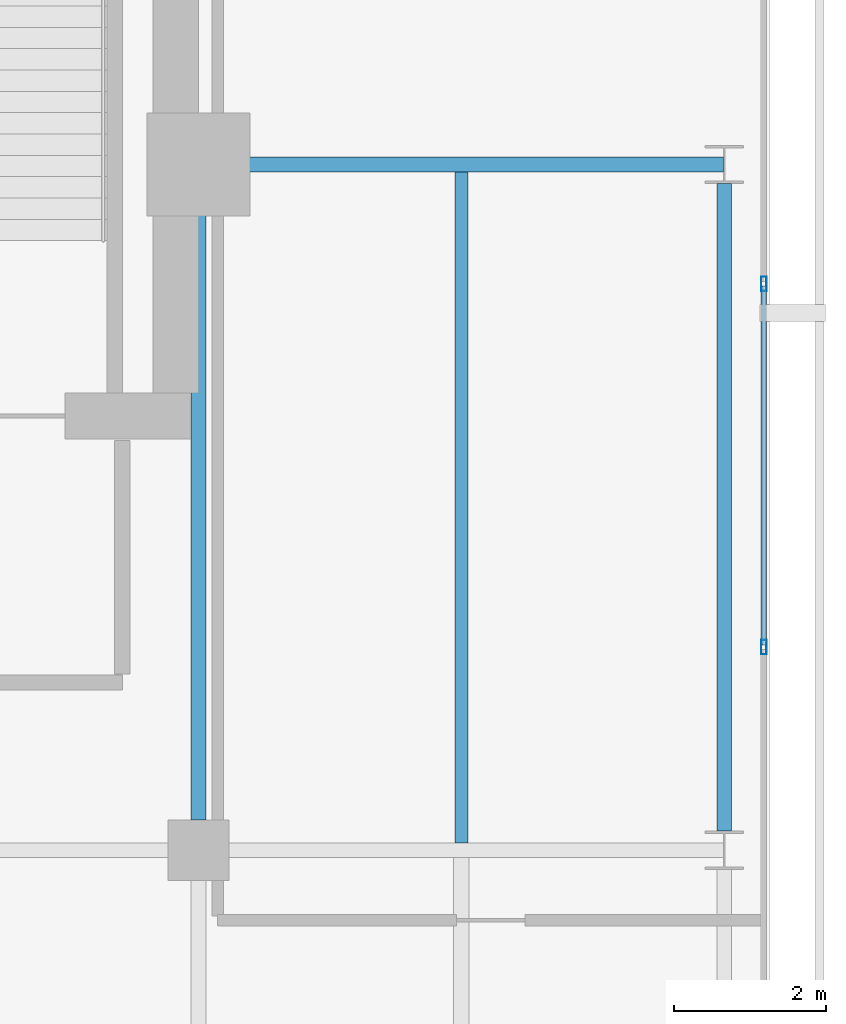
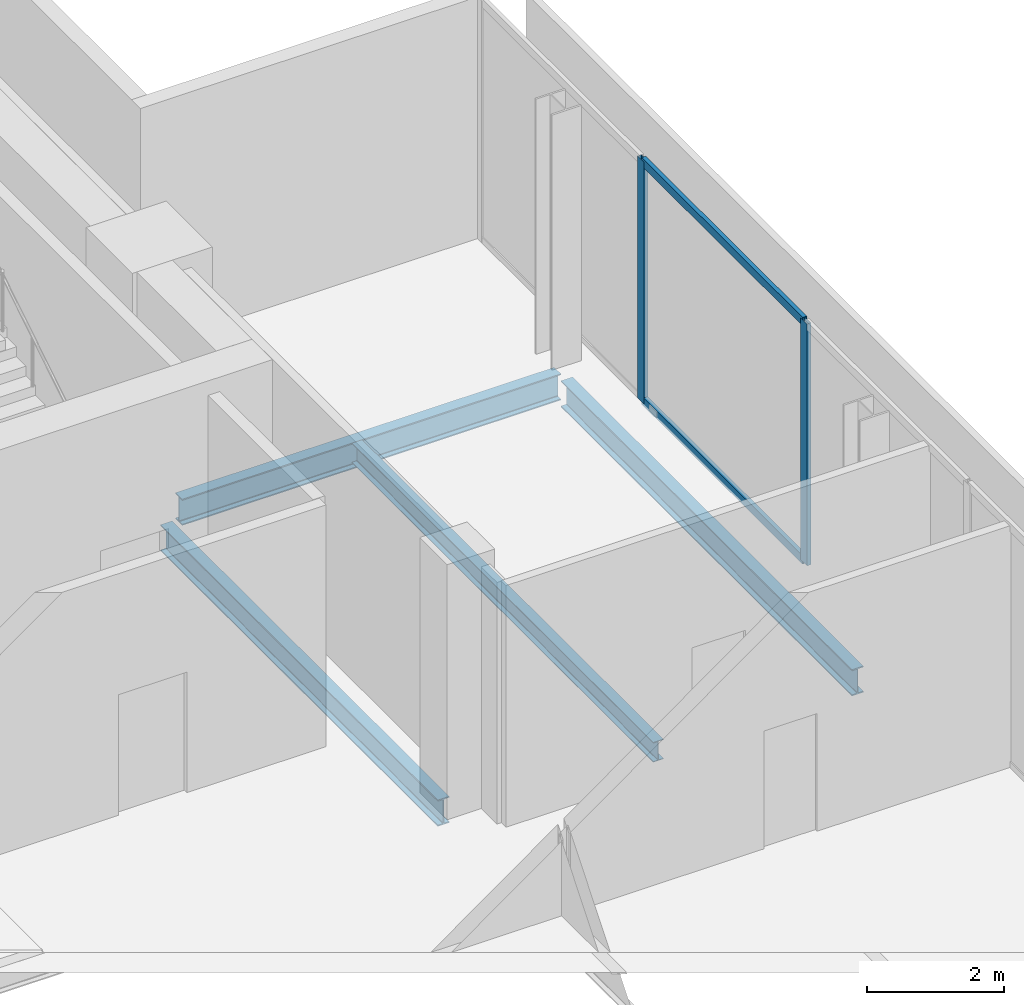
# One storey, part 13 of 23: 4 beams, 4 members, 1 element without a shape of its own.
"""IFC4 building model written with IfcOpenShell, lengths in metres."""

from ifc_helpers import new_model, si_unit, direction, frame, origin, origin_2d, place, context, subcontext, project, spatial, hollow_rectangle, i_section, extrude, material, layer, layer_set, material_profile, profile_set, type_object, element, aggregate, save


model = new_model("IFC4")

# Units and contexts
model_context = context("Model", 3, precision=1e-05, world=origin(), true_north=direction((0.0, 1.0)))
body_context = subcontext(model_context, "Body", "Model", "MODEL_VIEW")
ifc_project = project(units=[si_unit("LENGTHUNIT", "METRE"), si_unit("AREAUNIT", "SQUARE_METRE"), si_unit("VOLUMEUNIT", "CUBIC_METRE"), si_unit("PLANEANGLEUNIT", "RADIAN"), si_unit("MASSUNIT", "GRAM", prefix="KILO")], contexts=[model_context])

# Site, building, storey
site_placement = place(None, origin())
site = spatial("IfcSite", under=ifc_project, at=site_placement, CompositionType="ELEMENT")
building_placement = place(site_placement, origin())
building = spatial("IfcBuilding", under=site, at=building_placement, Name="Maruvema Waterfront Hotel and Observation Tower", CompositionType="ELEMENT")
storey_placement = place(building_placement, frame((0.0, 0.0, 345.10009765625)))
storey = spatial("IfcBuildingStorey", under=building, at=storey_placement, Name="L85", CompositionType="ELEMENT", Elevation=345.10009765625)

# Curtain wall, members
ifc_material_1 = material(Name="Anodised bronze aluminium and solar-control low-E IGU", Category="aluminium")
ifc_layer = layer(ifc_material_1, 0.159912109375, Name="Observation Crown Structural Glazed Curtain Wall System CW-06")
ifc_layer_set = layer_set([ifc_layer], Name="Anodised bronze aluminium and solar-control low-E IGU")
curtain_wall_type = type_object("IfcCurtainWallType", Name="Observation Crown Structural Glazed Curtain Wall System CW-06", PredefinedType="USERDEFINED", material=ifc_layer_set)
curtain_wall_placement = place(storey_placement, origin())
curtain_wall = element("IfcCurtainWall", 1, at=curtain_wall_placement, inside=storey, type_object=curtain_wall_type, Name="L85 Curtain Wall CW-L85-E", ObjectType="UNITISED CURTAIN WALL", PredefinedType="USERDEFINED")
ifc_material_2 = material(Name="Anodised architectural bronze aluminium", Category="aluminium")
ifc_material_profile_1 = material_profile(ifc_material_2, hollow_rectangle(XDim=0.070068359375, YDim=0.14990234375, WallThickness=0.00390625, at=origin_2d()), Name="ALU-T70x150")
ifc_profile_set_1 = profile_set([ifc_material_profile_1], Name="Anodised architectural bronze aluminium")
member_type_1 = type_object("IfcMemberType", Name="Curtain Wall Horizontal Transom ALU-T70x150", PredefinedType="USERDEFINED", material=ifc_profile_set_1)
member_1_placement = place(storey_placement, frame((57.820068359375, 38.69677734375, 0.02978515625), z_axis=(0.0, 1.0, 0.0), x_axis=(-1.0, 0.0, 0.0)))
member_1 = element("IfcMember", 2, at=member_1_placement, type_object=member_type_1, Name="CW-06 transom 5.1", ObjectType="TRANSOM", PredefinedType="USERDEFINED", context=body_context, shape_type="SweptSolid", body=[
    extrude(hollow_rectangle(XDim=0.070068359375, YDim=0.14990234375, WallThickness=0.00390625, at=origin_2d()), origin(), (0.0, 0.0, 1.0), 4.70654296875),
])
member_2_placement = place(storey_placement, frame((57.820068359375, 38.69677734375, 4.27978515625), z_axis=(0.0, 1.0, 0.0), x_axis=(-1.0, 0.0, 0.0)))
member_2 = element("IfcMember", 3, at=member_2_placement, type_object=member_type_1, Name="CW-06 transom 5.2", ObjectType="TRANSOM", PredefinedType="USERDEFINED", context=body_context, shape_type="SweptSolid", body=[
    extrude(hollow_rectangle(XDim=0.070068359375, YDim=0.14990234375, WallThickness=0.00390625, at=origin_2d()), origin(), (0.0, 0.0, 1.0), 4.70654296875),
])
ifc_material_3 = material(Name="Anodised architectural bronze aluminium", Category="aluminium")
ifc_material_profile_2 = material_profile(ifc_material_3, hollow_rectangle(XDim=0.070068359375, YDim=0.18994140625, WallThickness=0.00390625, at=origin_2d()), Name="ALU-M70x190")
ifc_profile_set_2 = profile_set([ifc_material_profile_2], Name="Anodised architectural bronze aluminium")
member_type_2 = type_object("IfcMemberType", Name="Podium Storefront Heavy Mullion ALU-M70x190", PredefinedType="MULLION", material=ifc_profile_set_2)
member_3_placement = place(storey_placement, frame((57.820068359375, 38.666748046875, 0.0), z_axis=(0.0, 0.0, 1.0), x_axis=(-1.0, 0.0, 0.0)))
member_3 = element("IfcMember", 4, at=member_3_placement, type_object=member_type_2, Name="CW-06 mullion 5", PredefinedType="MULLION", context=body_context, shape_type="SweptSolid", body=[
    extrude(hollow_rectangle(XDim=0.070068359375, YDim=0.18994140625, WallThickness=0.00390625, at=origin_2d()), origin(), (0.0, 0.0, 1.0), 4.309814453125),
])
member_4_placement = place(storey_placement, frame((57.820068359375, 43.433349609375, 0.0), z_axis=(0.0, 0.0, 1.0), x_axis=(-1.0, 0.0, 0.0)))
member_4 = element("IfcMember", 5, at=member_4_placement, type_object=member_type_2, Name="CW-06 mullion 6", PredefinedType="MULLION", context=body_context, shape_type="SweptSolid", body=[
    extrude(hollow_rectangle(XDim=0.070068359375, YDim=0.18994140625, WallThickness=0.00390625, at=origin_2d()), origin(), (0.0, 0.0, 1.0), 4.309814453125),
])
aggregate(curtain_wall, [member_3, member_4, member_1, member_2])

# Beams
ifc_material_4 = material(Name="Steel ASTM A572 Grade 50", Category="steel")
ifc_material_profile_3 = material_profile(ifc_material_4, i_section(OverallWidth=0.194091796875, OverallDepth=0.468994140625, WebThickness=0.0126953125, FlangeThickness=0.0205078125, FilletRadius=0.014892578125, at=origin_2d()), Name="W460x106.0")
ifc_profile_set_3 = profile_set([ifc_material_profile_3], Name="Steel ASTM A572 Grade 50")
beam_type_1 = type_object("IfcBeamType", Name="Primary Floor Girder W460x106.0", PredefinedType="BEAM", material=ifc_profile_set_3)
beam_1_placement = place(storey_placement, frame((50.89990234375, 45.0, -0.474609375), z_axis=(1.0, 0.0, 0.0), x_axis=(0.0, 1.0, 0.0)))
element("IfcBeam", 6, at=beam_1_placement, inside=storey, type_object=beam_type_1, Name="L85 Floor Girder EW-16", PredefinedType="BEAM", context=body_context, shape_type="SweptSolid", body=[
    extrude(i_section(OverallWidth=0.194091796875, OverallDepth=0.468994140625, WebThickness=0.0126953125, FlangeThickness=0.0205078125, FilletRadius=0.014892578125, at=origin_2d()), origin(), (0.0, 0.0, 1.0), 6.38916015625),
])
beam_2_placement = place(storey_placement, frame((50.39990234375, 36.39990234375, -0.474609375), z_axis=(0.0, 1.0, 0.0), x_axis=(-1.0, 0.0, 0.0)))
element("IfcBeam", 7, at=beam_2_placement, inside=storey, type_object=beam_type_1, Name="L85 Floor Girder NS-14", PredefinedType="BEAM", context=body_context, shape_type="SweptSolid", body=[
    extrude(i_section(OverallWidth=0.194091796875, OverallDepth=0.468994140625, WebThickness=0.0126953125, FlangeThickness=0.0205078125, FilletRadius=0.014892578125, at=origin_2d()), origin(), (0.0, 0.0, 1.0), 8.10009765625),
])
beam_3_placement = place(storey_placement, frame((57.300048828125, 36.25, -0.474609375), z_axis=(0.0, 1.0, 0.0), x_axis=(-1.0, 0.0, 0.0)))
element("IfcBeam", 8, at=beam_3_placement, inside=storey, type_object=beam_type_1, Name="L85 Floor Girder NS-16", PredefinedType="BEAM", context=body_context, shape_type="SweptSolid", body=[
    extrude(i_section(OverallWidth=0.194091796875, OverallDepth=0.468994140625, WebThickness=0.0126953125, FlangeThickness=0.0205078125, FilletRadius=0.014892578125, at=origin_2d()), origin(), (0.0, 0.0, 1.0), 8.5),
])
ifc_material_5 = material(Name="Steel ASTM A572 Grade 50", Category="steel")
ifc_material_profile_4 = material_profile(ifc_material_5, i_section(OverallWidth=0.1708984375, OverallDepth=0.35498046875, WebThickness=0.007080078125, FlangeThickness=0.01171875, FilletRadius=0.014892578125, at=origin_2d()), Name="W360x51.0")
ifc_profile_set_4 = profile_set([ifc_material_profile_4], Name="Steel ASTM A572 Grade 50")
beam_type_2 = type_object("IfcBeamType", Name="Secondary Floor Joist W360x51.0", PredefinedType="JOIST", material=ifc_profile_set_4)
beam_4_placement = place(storey_placement, frame((53.85009765625, 36.096923828125, -0.41748046875), z_axis=(0.0, 1.0, 0.0), x_axis=(-1.0, 0.0, 0.0)))
element("IfcBeam", 9, at=beam_4_placement, inside=storey, type_object=beam_type_2, Name="L85 Secondary Floor Joist JS-07", PredefinedType="JOIST", context=body_context, shape_type="SweptSolid", body=[
    extrude(i_section(OverallWidth=0.1708984375, OverallDepth=0.35498046875, WebThickness=0.007080078125, FlangeThickness=0.01171875, FilletRadius=0.014892578125, at=origin_2d()), origin(), (0.0, 0.0, 1.0), 8.80615234375),
])

save(model, "model.ifc")
